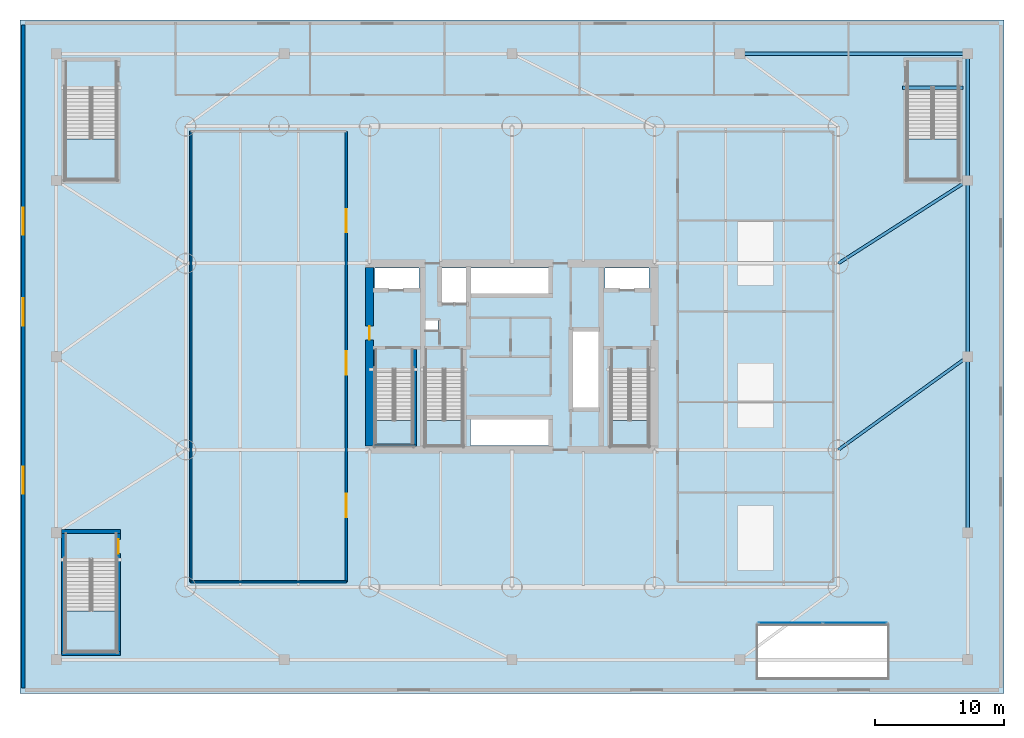
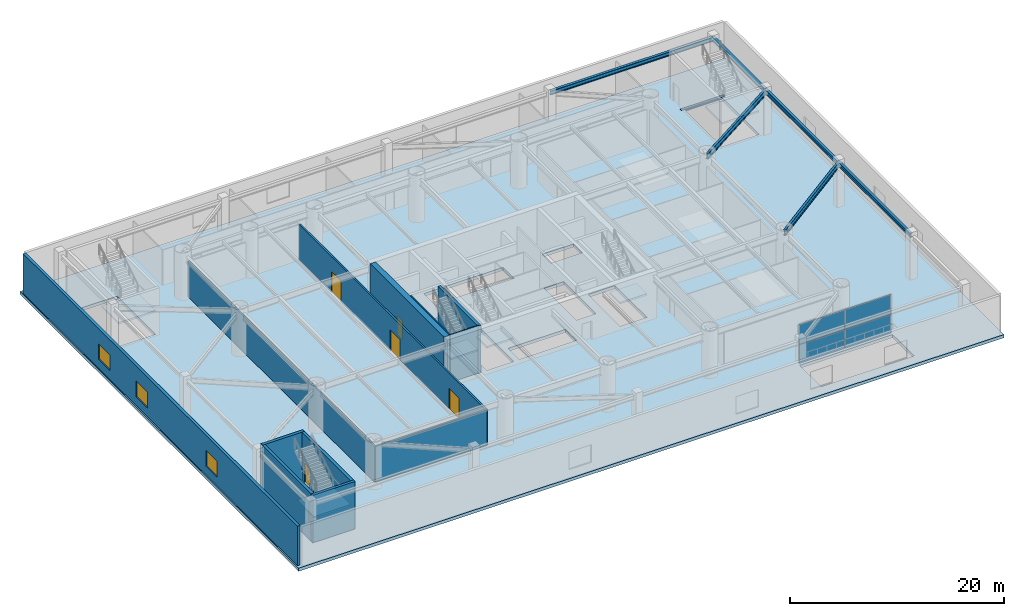
# One storey, part 5 of 16: 12 walls, 7 beams, 7 slabs, 5 doors, 4 plates, 3 windows, 8 openings, 7 elements without a shape of their own.
"""IFC4 building model written with IfcOpenShell, lengths in metres."""

from ifc_helpers import new_model, si_unit, direction, frame, frame_2d, origin, origin_2d, place, context, subcontext, project, spatial, polyline, rectangle, i_section, outline, extrude, material, layer, layer_set, material_profile, profile_set, type_object, element, fill, aggregate, save


model = new_model("IFC4")

# Units and contexts
model_context = context("Model", 3, precision=1e-05, world=origin(), true_north=direction((0.0, 1.0)))
body_context = subcontext(model_context, "Body", "Model", "MODEL_VIEW")
ifc_project = project(units=[si_unit("LENGTHUNIT", "METRE"), si_unit("AREAUNIT", "SQUARE_METRE"), si_unit("VOLUMEUNIT", "CUBIC_METRE"), si_unit("PLANEANGLEUNIT", "RADIAN"), si_unit("MASSUNIT", "GRAM", prefix="KILO")], contexts=[model_context])

# Site, building, storey
site_placement = place(None, origin())
site = spatial("IfcSite", under=ifc_project, at=site_placement, CompositionType="ELEMENT")
building_placement = place(site_placement, origin())
building = spatial("IfcBuilding", under=site, at=building_placement, Name="Bramvorn Convention Spire", CompositionType="ELEMENT")
storey_placement = place(building_placement, frame((0.0, 0.0, 30.0)))
storey = spatial("IfcBuildingStorey", under=building, at=storey_placement, Name="L05", CompositionType="ELEMENT", Elevation=30.0)

# Beams
ifc_material_1 = material(Name="Steel CSA G40.21 Grade 350 (350W)", Category="steel")
ifc_material_profile_1 = material_profile(ifc_material_1, i_section(OverallWidth=0.25390625, OverallDepth=0.2529296875, WebThickness=0.008544921875, FlangeThickness=0.01416015625, FilletRadius=0.011962890625, at=origin_2d()))
ifc_profile_set_1 = profile_set([ifc_material_profile_1], Name="Steel CSA G40.21 Grade 350 (350W) - W250X73")
beam_type_1 = type_object("IfcBeamType", Name="BM-W250X73", PredefinedType="BEAM", material=ifc_profile_set_1)
beam_1_placement = place(storey_placement, frame((68.169921875, 46.760009765625, -0.12646484375), z_axis=(1.0, 0.0, 0.0), x_axis=(0.0, 1.0, 0.0)))
element("IfcBeam", 1, at=beam_1_placement, inside=storey, type_object=beam_type_1, Name="L05 ST5 stair arrival header beam", PredefinedType="BEAM", context=body_context, shape_type="SweptSolid", body=[
    extrude(i_section(OverallWidth=0.25390625, OverallDepth=0.2529296875, WebThickness=0.008544921875, FlangeThickness=0.01416015625, FilletRadius=0.011962890625, at=origin_2d()), origin(), (0.0, 0.0, 1.0), 4.68017578125),
])
ifc_material_profile_2 = material_profile(ifc_material_1, i_section(OverallWidth=0.283935546875, OverallDepth=0.47607421875, WebThickness=0.014892578125, FlangeThickness=0.02392578125, FilletRadius=0.01806640625, at=origin_2d()))
ifc_profile_set_2 = profile_set([ifc_material_profile_2], Name="Steel CSA G40.21 Grade 350 (350W) - W460X158")
beam_type_2 = type_object("IfcBeamType", Name="BM-W460X158", PredefinedType="SPANDREL", material=ifc_profile_set_2)
for number, where, z_axis, x_axis, name in (
    (2, (73.199951171875, 12.39990234375, 4.761962890625), (0.0, 1.0, 0.0), (-1.0, 0.0, 0.0), "L05 podium spandrel beam 06"),
    (3, (73.199951171875, 26.0, 4.761962890625), (0.0, 1.0, 0.0), (-1.0, 0.0, 0.0), "L05 podium spandrel beam 07"),
):
    element("IfcBeam", number, at=place(storey_placement, frame(where, z_axis=z_axis, x_axis=x_axis)), inside=storey, type_object=beam_type_2, Name=name, PredefinedType="SPANDREL", context=body_context, shape_type="SweptSolid", body=[
        extrude(i_section(OverallWidth=0.283935546875, OverallDepth=0.47607421875, WebThickness=0.014892578125, FlangeThickness=0.02392578125, FilletRadius=0.01806640625, at=origin_2d()), origin(), (0.0, 0.0, 1.0), 13.60009765625),
    ])
beam_2_placement = place(storey_placement, frame((73.199951171875, 39.60009765625, 4.761962890625), z_axis=(0.0, 1.0, 0.0), x_axis=(-1.0, 0.0, 0.0)))
element("IfcBeam", 4, at=beam_2_placement, inside=storey, type_object=beam_type_2, Name="L05 podium spandrel beam 08", PredefinedType="SPANDREL", context=body_context, shape_type="SweptSolid", body=[
    extrude(i_section(OverallWidth=0.283935546875, OverallDepth=0.47607421875, WebThickness=0.014892578125, FlangeThickness=0.02392578125, FilletRadius=0.01806640625, at=origin_2d()), origin(), (0.0, 0.0, 1.0), 9.7998046875),
])
beam_3_placement = place(storey_placement, frame((73.199951171875, 49.39990234375, 4.761962890625), z_axis=(-1.0, 0.0, 0.0), x_axis=(0.0, -1.0, 0.0)))
element("IfcBeam", 5, at=beam_3_placement, inside=storey, type_object=beam_type_2, Name="L05 podium spandrel beam 09", PredefinedType="SPANDREL", context=body_context, shape_type="SweptSolid", body=[
    extrude(i_section(OverallWidth=0.283935546875, OverallDepth=0.47607421875, WebThickness=0.014892578125, FlangeThickness=0.02392578125, FilletRadius=0.01806640625, at=origin_2d()), origin(), (0.0, 0.0, 1.0), 17.599853515625),
])
ifc_material_profile_3 = material_profile(ifc_material_1, i_section(OverallWidth=0.22998046875, OverallDepth=0.616943359375, WebThickness=0.01318359375, FlangeThickness=0.022216796875, FilletRadius=0.02001953125, at=origin_2d()))
ifc_profile_set_3 = profile_set([ifc_material_profile_3], Name="Steel CSA G40.21 Grade 350 (350W) - W610X140")
beam_type_3 = type_object("IfcBeamType", Name="BM-W610X140", PredefinedType="BEAM", material=ifc_profile_set_3)
beam_4_placement = place(storey_placement, frame((63.199951171875, 18.800048828125, 4.69140625), z_axis=(0.811536220436, 0.584302116135, 0.0), x_axis=(-0.584302116135, 0.811536220436, 0.0)))
element("IfcBeam", 6, at=beam_4_placement, inside=storey, type_object=beam_type_3, Name="L05 podium east bay girder 1", PredefinedType="BEAM", context=body_context, shape_type="SweptSolid", body=[
    extrude(i_section(OverallWidth=0.22998046875, OverallDepth=0.616943359375, WebThickness=0.01318359375, FlangeThickness=0.022216796875, FilletRadius=0.02001953125, at=origin_2d()), origin(), (0.0, 0.0, 1.0), 12.322265625),
])
beam_5_placement = place(storey_placement, frame((63.199951171875, 33.199951171875, 4.69140625), z_axis=(0.842265798855, 0.539062449145, 0.0), x_axis=(-0.539062449145, 0.842265798855, 0.0)))
element("IfcBeam", 7, at=beam_5_placement, inside=storey, type_object=beam_type_3, Name="L05 podium east bay girder 2", PredefinedType="BEAM", context=body_context, shape_type="SweptSolid", body=[
    extrude(i_section(OverallWidth=0.22998046875, OverallDepth=0.616943359375, WebThickness=0.01318359375, FlangeThickness=0.022216796875, FilletRadius=0.02001953125, at=origin_2d()), origin(), (0.0, 0.0, 1.0), 11.872802734375),
])

# Curtain wall, plates
ifc_material_2 = material(Name="Anodised Bronze Unitised Curtain Wall", Category="aluminium")
ifc_layer_1 = layer(ifc_material_2, 0.219970703125)
ifc_layer_set_1 = layer_set([ifc_layer_1], Name="Anodised Bronze Unitised Curtain Wall - CW-POD-LANCET")
curtain_wall_type = type_object("IfcCurtainWallType", Name="CW-POD-LANCET", PredefinedType="USERDEFINED", material=ifc_layer_set_1)
curtain_wall_placement = place(storey_placement, origin())
curtain_wall = element("IfcCurtainWall", 8, at=curtain_wall_placement, inside=storey, type_object=curtain_wall_type, Name="L05 SE colonnade lancet curtain wall", ObjectType="UNITISED CURTAIN WALL", PredefinedType="USERDEFINED")
ifc_material_3 = material(Name="Laminated Low-E Glass (Acoustic Laminated Podium Triple IGU)", Category="glass")
ifc_layer_2 = layer(ifc_material_3, 0.0458984375)
ifc_layer_set_2 = layer_set([ifc_layer_2], Name="Laminated Low-E Glass (Acoustic Laminated Podium Triple IGU) - PNL-IGU-5")
plate_type = type_object("IfcPlateType", Name="PNL-IGU-5", PredefinedType="CURTAIN_PANEL", material=ifc_layer_set_2)
plate_1_placement = place(storey_placement, frame((59.514892578125, 5.449951171875, 0.06005859375), z_axis=(0.0, 0.0, 1.0), x_axis=(1.0, 0.0, 0.0)))
plate_1 = element("IfcPlate", 9, at=plate_1_placement, type_object=plate_type, Name="CW1 panel 1.1", PredefinedType="CURTAIN_PANEL", context=body_context, shape_type="SweptSolid", body=[
    extrude(rectangle(XDim=4.909912109375, YDim=0.028076171875, at=origin_2d()), origin(), (0.0, 0.0, 1.0), 2.110107421875),
])
plate_2_placement = place(storey_placement, frame((59.514892578125, 5.449951171875, 2.22998046875), z_axis=(0.0, 0.0, 1.0), x_axis=(1.0, 0.0, 0.0)))
plate_2 = element("IfcPlate", 10, at=plate_2_placement, type_object=plate_type, Name="CW1 panel 1.2", PredefinedType="CURTAIN_PANEL", context=body_context, shape_type="SweptSolid", body=[
    extrude(rectangle(XDim=4.909912109375, YDim=0.028076171875, at=origin_2d()), origin(), (0.0, 0.0, 1.0), 2.219970703125),
])
plate_3_placement = place(storey_placement, frame((64.485107421875, 5.449951171875, 0.06005859375), z_axis=(0.0, 0.0, 1.0), x_axis=(1.0, 0.0, 0.0)))
plate_3 = element("IfcPlate", 11, at=plate_3_placement, type_object=plate_type, Name="CW1 panel 2.1", PredefinedType="CURTAIN_PANEL", context=body_context, shape_type="SweptSolid", body=[
    extrude(rectangle(XDim=4.909912109375, YDim=0.028076171875, at=origin_2d()), origin(), (0.0, 0.0, 1.0), 2.110107421875),
])
plate_4_placement = place(storey_placement, frame((64.485107421875, 5.449951171875, 2.22998046875), z_axis=(0.0, 0.0, 1.0), x_axis=(1.0, 0.0, 0.0)))
plate_4 = element("IfcPlate", 12, at=plate_4_placement, type_object=plate_type, Name="CW1 panel 2.2", PredefinedType="CURTAIN_PANEL", context=body_context, shape_type="SweptSolid", body=[
    extrude(rectangle(XDim=4.909912109375, YDim=0.028076171875, at=origin_2d()), origin(), (0.0, 0.0, 1.0), 2.219970703125),
])
aggregate(curtain_wall, [plate_1, plate_2, plate_3, plate_4])

# Slab
ifc_material_4 = material(Name="Concrete C50/60", Category="concrete")
ifc_layer_3 = layer(ifc_material_4, 0.35009765625)
ifc_layer_set_3 = layer_set([ifc_layer_3], Name="Concrete C50/60 - SLB-POD-350")
slab_type_1 = type_object("IfcSlabType", Name="SLB-POD-350", PredefinedType="FLOOR", material=ifc_layer_set_3)
slab_1_placement = place(storey_placement, frame((0.0, 0.0, -0.35009765625)))
element("IfcSlab", 13, at=slab_1_placement, inside=storey, type_object=slab_type_1, Name="L05 podium composite floor slab", PredefinedType="FLOOR", context=body_context, shape_type="SweptSolid", body=[
    extrude(outline(polyline([(0.0, 0.0), (76.0, 0.0), (76.0, 52.0), (0.0, 52.0), (0.0, 0.0)]), holes=[polyline([(27.449951171875, 25.050048828125), (27.449951171875, 19.10009765625), (30.35009765625, 19.10009765625), (30.35009765625, 25.050048828125), (27.449951171875, 25.050048828125)]), polyline([(45.64990234375, 25.050048828125), (45.64990234375, 19.10009765625), (48.550048828125, 19.10009765625), (48.550048828125, 25.050048828125), (45.64990234375, 25.050048828125)]), polyline([(31.300048828125, 25.050048828125), (31.300048828125, 19.10009765625), (34.199951171875, 19.10009765625), (34.199951171875, 25.050048828125), (31.300048828125, 25.050048828125)]), polyline([(3.5, 10.35009765625), (3.5, 3.199951171875), (7.47998046875, 3.199951171875), (7.47998046875, 10.35009765625), (3.5, 10.35009765625)]), polyline([(68.52001953125, 46.800048828125), (68.52001953125, 39.64990234375), (72.5, 39.64990234375), (72.5, 46.800048828125), (68.52001953125, 46.800048828125)]), polyline([(3.5, 46.800048828125), (3.5, 39.64990234375), (7.47998046875, 39.64990234375), (7.47998046875, 46.800048828125), (3.5, 46.800048828125)]), polyline([(27.39990234375, 31.219970703125), (30.800048828125, 31.219970703125), (30.800048828125, 32.85009765625), (27.39990234375, 32.85009765625), (27.39990234375, 31.219970703125)]), polyline([(45.199951171875, 31.219970703125), (48.60009765625, 31.219970703125), (48.60009765625, 32.85009765625), (45.199951171875, 32.85009765625), (45.199951171875, 31.219970703125)]), polyline([(32.449951171875, 30.14990234375), (34.56005859375, 30.14990234375), (34.56005859375, 32.85009765625), (32.449951171875, 32.85009765625), (32.449951171875, 30.14990234375)]), polyline([(34.800048828125, 30.800048828125), (40.97998046875, 30.800048828125), (40.97998046875, 32.85009765625), (34.800048828125, 32.85009765625), (34.800048828125, 30.800048828125)]), polyline([(34.800048828125, 19.14990234375), (40.97998046875, 19.14990234375), (40.97998046875, 21.199951171875), (34.800048828125, 21.199951171875), (34.800048828125, 19.14990234375)]), polyline([(42.6201171875, 22.0), (44.75, 22.0), (44.75, 28.0), (42.6201171875, 28.0), (42.6201171875, 22.0)]), polyline([(31.320068359375, 28.02001953125), (32.280029296875, 28.02001953125), (32.280029296875, 28.820068359375), (31.320068359375, 28.820068359375), (31.320068359375, 28.02001953125)]), polyline([(57.0, 1.199951171875), (67.0, 1.199951171875), (67.0, 5.199951171875), (57.0, 5.199951171875), (57.0, 1.199951171875)])]), origin(), (0.0, 0.0, 1.0), 0.35009765625),
])

# Stair, slab
ifc_material_5 = material(Name="Concrete C40/50 Precast Stair", Category="concrete")
stair_type_1 = type_object("IfcStairType", Name="ST-TOWER-1550", PredefinedType="HALF_TURN_STAIR", material=ifc_material_5)
stair_1_placement = place(storey_placement, origin())
stair_1 = element("IfcStair", 14, at=stair_1_placement, inside=storey, type_object=stair_type_1, Name="L05 Protected Exit Stair ST1", PredefinedType="HALF_TURN_STAIR")
ifc_material_6 = material(Name="Concrete C40/50 Stair Landing", Category="concrete")
ifc_layer_4 = layer(ifc_material_6, 0.219970703125)
ifc_layer_set_4 = layer_set([ifc_layer_4], Name="Concrete C40/50 Stair Landing - SLB-STAIR-LANDING")
slab_type_2 = type_object("IfcSlabType", Name="SLB-STAIR-LANDING", PredefinedType="LANDING", material=ifc_layer_set_4)
slab_2_placement = place(storey_placement, frame((0.0, 0.0, 2.5)))
slab_2 = element("IfcSlab", 15, at=slab_2_placement, type_object=slab_type_2, Name="ST1 landing 1", PredefinedType="LANDING", context=body_context, shape_type="SweptSolid", body=[
    extrude(outline(polyline([(27.449951171875, 21.06005859375), (27.449951171875, 19.10009765625), (30.35009765625, 19.10009765625), (30.35009765625, 21.06005859375), (27.449951171875, 21.06005859375)])), origin(), (0.0, 0.0, 1.0), 0.199951171875),
])
aggregate(stair_1, [slab_2])

stair_2_placement = place(storey_placement, origin())
stair_2 = element("IfcStair", 16, at=stair_2_placement, inside=storey, type_object=stair_type_1, Name="L05 Protected Exit Stair ST2", PredefinedType="HALF_TURN_STAIR")
slab_3_placement = place(storey_placement, frame((0.0, 0.0, 2.5)))
slab_3 = element("IfcSlab", 17, at=slab_3_placement, type_object=slab_type_2, Name="ST2 landing 1", PredefinedType="LANDING", context=body_context, shape_type="SweptSolid", body=[
    extrude(outline(polyline([(45.64990234375, 21.06005859375), (45.64990234375, 19.10009765625), (48.550048828125, 19.10009765625), (48.550048828125, 21.06005859375), (45.64990234375, 21.06005859375)])), origin(), (0.0, 0.0, 1.0), 0.199951171875),
])
aggregate(stair_2, [slab_3])

stair_3_placement = place(storey_placement, origin())
stair_3 = element("IfcStair", 18, at=stair_3_placement, inside=storey, type_object=stair_type_1, Name="L05 Protected Exit Stair ST3", PredefinedType="HALF_TURN_STAIR")
slab_4_placement = place(storey_placement, frame((0.0, 0.0, 2.5)))
slab_4 = element("IfcSlab", 19, at=slab_4_placement, type_object=slab_type_2, Name="ST3 landing 1", PredefinedType="LANDING", context=body_context, shape_type="SweptSolid", body=[
    extrude(outline(polyline([(31.300048828125, 21.06005859375), (31.300048828125, 19.10009765625), (34.199951171875, 19.10009765625), (34.199951171875, 21.06005859375), (31.300048828125, 21.06005859375)])), origin(), (0.0, 0.0, 1.0), 0.199951171875),
])
aggregate(stair_3, [slab_4])

ifc_material_7 = material(Name="Concrete C40/50 Grand Exit Stair", Category="concrete")
stair_type_2 = type_object("IfcStairType", Name="ST-PODIUM-1950", PredefinedType="HALF_TURN_STAIR", material=ifc_material_7)
stair_4_placement = place(storey_placement, origin())
stair_4 = element("IfcStair", 20, at=stair_4_placement, inside=storey, type_object=stair_type_2, Name="L05 Protected Exit Stair ST4", PredefinedType="HALF_TURN_STAIR")
slab_5_placement = place(storey_placement, frame((0.0, 0.0, 2.5)))
slab_5 = element("IfcSlab", 21, at=slab_5_placement, type_object=slab_type_2, Name="ST4 landing 1", PredefinedType="LANDING", context=body_context, shape_type="SweptSolid", body=[
    extrude(outline(polyline([(3.5, 6.360107421875), (3.5, 3.199951171875), (7.47998046875, 3.199951171875), (7.47998046875, 6.360107421875), (3.5, 6.360107421875)])), origin(), (0.0, 0.0, 1.0), 0.199951171875),
])
aggregate(stair_4, [slab_5])

stair_5_placement = place(storey_placement, origin())
stair_5 = element("IfcStair", 22, at=stair_5_placement, inside=storey, type_object=stair_type_2, Name="L05 Protected Exit Stair ST5", PredefinedType="HALF_TURN_STAIR")
slab_6_placement = place(storey_placement, frame((0.0, 0.0, 2.5)))
slab_6 = element("IfcSlab", 23, at=slab_6_placement, type_object=slab_type_2, Name="ST5 landing 1", PredefinedType="LANDING", context=body_context, shape_type="SweptSolid", body=[
    extrude(outline(polyline([(68.52001953125, 42.81005859375), (68.52001953125, 39.64990234375), (72.5, 39.64990234375), (72.5, 42.81005859375), (68.52001953125, 42.81005859375)])), origin(), (0.0, 0.0, 1.0), 0.199951171875),
])
aggregate(stair_5, [slab_6])

stair_6_placement = place(storey_placement, origin())
stair_6 = element("IfcStair", 24, at=stair_6_placement, inside=storey, type_object=stair_type_2, Name="L05 Protected Exit Stair ST6", PredefinedType="HALF_TURN_STAIR")
slab_7_placement = place(storey_placement, frame((0.0, 0.0, 2.5)))
slab_7 = element("IfcSlab", 25, at=slab_7_placement, type_object=slab_type_2, Name="ST6 landing 1", PredefinedType="LANDING", context=body_context, shape_type="SweptSolid", body=[
    extrude(outline(polyline([(3.5, 42.81005859375), (3.5, 39.64990234375), (7.47998046875, 39.64990234375), (7.47998046875, 42.81005859375), (3.5, 42.81005859375)])), origin(), (0.0, 0.0, 1.0), 0.199951171875),
])
aggregate(stair_6, [slab_7])

# Wall, opening, door
ifc_material_8 = material(Name="Concrete C60/70", Category="concrete")
ifc_layer_5 = layer(ifc_material_8, 0.60009765625)
ifc_layer_set_5 = layer_set([ifc_layer_5], Name="Concrete C60/70 - WL-CORE-600")
wall_type_1 = type_object("IfcWallType", Name="WL-CORE-600", PredefinedType="SHEAR", material=ifc_layer_set_5)
wall_1_placement = place(storey_placement, frame((27.0, 19.10009765625, 0.0), z_axis=(0.0, 0.0, 1.0), x_axis=(0.0, 1.0, 0.0)))
wall_1 = element("IfcWall", 26, at=wall_1_placement, inside=storey, type_object=wall_type_1, Name="L05 West RC core shear wall", PredefinedType="SHEAR", context=body_context, shape_type="SweptSolid", body=[
    extrude(rectangle(XDim=13.7998046875, YDim=0.60009765625, at=frame_2d((6.89990234375, 0.0))), origin(), (0.0, 0.0, 1.0), 5.39990234375),
])
opening_1_placement = place(wall_1_placement, frame((8.199951171875, 0.0, 0.0)))
opening_1 = element("IfcOpeningElement", 27, at=opening_1_placement, cuts=wall_1, Name="Opening DL-105", PredefinedType="OPENING", context=body_context, shape_type="SweptSolid", body=[
    extrude(rectangle(XDim=1.050048828125, YDim=2.14990234375, at=frame_2d((0.52490234375, 1.074951171875))), frame((0.0, 0.31005859375, 0.0), z_axis=(0.0, -1.0, 0.0), x_axis=(1.0, 0.0, 0.0)), (0.0, 0.0, 1.0), 0.6201171875),
])
ifc_material_9 = material(Name="Smoke-Sealed Fire Lobby Timber-Core Door", Category="wood")
door_type_1 = type_object("IfcDoorType", Name="DR-LOBBY-1050", OperationType="NOTDEFINED", PredefinedType="DOOR", material=ifc_material_9)
door_1_placement = place(opening_1_placement, origin())
door_1 = element("IfcDoor", 28, at=door_1_placement, inside=storey, type_object=door_type_1, Name="L05 West Firefighting Lobby corridor door", OperationType="SINGLE_SWING_RIGHT", OverallHeight=2.14990234375, OverallWidth=1.050048828125, PredefinedType="DOOR", context=body_context, shape_type="SweptSolid", body=[
    extrude(rectangle(XDim=1.050048828125, YDim=2.14990234375, at=frame_2d((0.52490234375, 1.074951171875))), frame((0.0, 0.02490234375, 0.0), z_axis=(0.0, -1.0, 0.0), x_axis=(1.0, 0.0, 0.0)), (0.0, 0.0, 1.0), 0.050048828125),
])
fill(opening_1, door_1)

# Wall, openings, windows
ifc_material_10 = material(Name="Precast Concrete C40/50 with Bronze Terracotta Rainscreen", Category="masonry")
ifc_layer_6 = layer(ifc_material_10, 0.300048828125)
ifc_layer_set_6 = layer_set([ifc_layer_6], Name="Precast Concrete C40/50 with Bronze Terracotta Rainscreen - WL-EXT-BRONZE-300")
wall_type_2 = type_object("IfcWallType", Name="WL-EXT-BRONZE-300", PredefinedType="SOLIDWALL", material=ifc_layer_set_6)
wall_2_placement = place(storey_placement, frame((0.25, 0.39990234375, 0.0), z_axis=(0.0, 0.0, 1.0), x_axis=(0.0, 1.0, 0.0)))
wall_2 = element("IfcWall", 29, at=wall_2_placement, inside=storey, type_object=wall_type_2, Name="L05 West podium bronze facade wall", PredefinedType="SOLIDWALL", context=body_context, shape_type="SweptSolid", body=[
    extrude(rectangle(XDim=51.2001953125, YDim=0.300048828125, at=frame_2d((25.60009765625, 0.0))), origin(), (0.0, 0.0, 1.0), 4.510009765625),
])
opening_2_placement = place(wall_2_placement, frame((15.0, 0.0, 1.0)))
opening_2 = element("IfcOpeningElement", 30, at=opening_2_placement, cuts=wall_2, Name="Opening WN04", PredefinedType="OPENING", context=body_context, shape_type="SweptSolid", body=[
    extrude(rectangle(XDim=2.10009765625, YDim=1.800048828125, at=frame_2d((1.050048828125, 0.89990234375))), frame((0.0, 0.159912109375, 0.0), z_axis=(0.0, -1.0, 0.0), x_axis=(1.0, 0.0, 0.0)), (0.0, 0.0, 1.0), 0.320068359375),
])
opening_3_placement = place(wall_2_placement, frame((28.0, 0.0, 1.0)))
opening_3 = element("IfcOpeningElement", 31, at=opening_3_placement, cuts=wall_2, Name="Opening WN04", PredefinedType="OPENING", context=body_context, shape_type="SweptSolid", body=[
    extrude(rectangle(XDim=2.10009765625, YDim=1.800048828125, at=frame_2d((1.050048828125, 0.89990234375))), frame((0.0, 0.159912109375, 0.0), z_axis=(0.0, -1.0, 0.0), x_axis=(1.0, 0.0, 0.0)), (0.0, 0.0, 1.0), 0.320068359375),
])
opening_4_placement = place(wall_2_placement, frame((35.0, 0.0, 1.0)))
opening_4 = element("IfcOpeningElement", 32, at=opening_4_placement, cuts=wall_2, Name="Opening WN04", PredefinedType="OPENING", context=body_context, shape_type="SweptSolid", body=[
    extrude(rectangle(XDim=2.10009765625, YDim=1.800048828125, at=frame_2d((1.050048828125, 0.89990234375))), frame((0.0, 0.159912109375, 0.0), z_axis=(0.0, -1.0, 0.0), x_axis=(1.0, 0.0, 0.0)), (0.0, 0.0, 1.0), 0.320068359375),
])
ifc_material_11 = material(Name="Thermally Broken Bronze Aluminium & Triple Low-E Glass", Category="aluminium")
window_type = type_object("IfcWindowType", Name="WN-OP-2100X1800", PartitioningType="SINGLE_PANEL", PredefinedType="WINDOW", material=ifc_material_11)
window_1_placement = place(opening_2_placement, origin())
window_1 = element("IfcWindow", 33, at=window_1_placement, inside=storey, type_object=window_type, Name="L05 West operable window 1", OverallHeight=1.800048828125, OverallWidth=2.10009765625, PartitioningType="SINGLE_PANEL", PredefinedType="WINDOW", context=body_context, shape_type="SweptSolid", body=[
    extrude(rectangle(XDim=2.10009765625, YDim=1.800048828125, at=frame_2d((1.050048828125, 0.89990234375))), frame((0.0, 0.030029296875, 0.0), z_axis=(0.0, -1.0, 0.0), x_axis=(1.0, 0.0, 0.0)), (0.0, 0.0, 1.0), 0.06005859375),
])
fill(opening_2, window_1)
window_2_placement = place(opening_3_placement, origin())
window_2 = element("IfcWindow", 34, at=window_2_placement, inside=storey, type_object=window_type, Name="L05 West operable window 2", OverallHeight=1.800048828125, OverallWidth=2.10009765625, PartitioningType="SINGLE_PANEL", PredefinedType="WINDOW", context=body_context, shape_type="SweptSolid", body=[
    extrude(rectangle(XDim=2.10009765625, YDim=1.800048828125, at=frame_2d((1.050048828125, 0.89990234375))), frame((0.0, 0.030029296875, 0.0), z_axis=(0.0, -1.0, 0.0), x_axis=(1.0, 0.0, 0.0)), (0.0, 0.0, 1.0), 0.06005859375),
])
fill(opening_3, window_2)
window_3_placement = place(opening_4_placement, origin())
window_3 = element("IfcWindow", 35, at=window_3_placement, inside=storey, type_object=window_type, Name="L05 West operable window 3", OverallHeight=1.800048828125, OverallWidth=2.10009765625, PartitioningType="SINGLE_PANEL", PredefinedType="WINDOW", context=body_context, shape_type="SweptSolid", body=[
    extrude(rectangle(XDim=2.10009765625, YDim=1.800048828125, at=frame_2d((1.050048828125, 0.89990234375))), frame((0.0, 0.030029296875, 0.0), z_axis=(0.0, -1.0, 0.0), x_axis=(1.0, 0.0, 0.0)), (0.0, 0.0, 1.0), 0.06005859375),
])
fill(opening_4, window_3)

# Walls
ifc_material_12 = material(Name="Acoustic Metal-Stud Tenant/Corridor Partition", Category="gypsum")
ifc_layer_7 = layer(ifc_material_12, 0.14990234375)
ifc_layer_set_7 = layer_set([ifc_layer_7], Name="Acoustic Metal-Stud Tenant/Corridor Partition - WL-PART-150")
wall_type_3 = type_object("IfcWallType", Name="WL-PART-150", PredefinedType="PARTITIONING", material=ifc_layer_set_7)
wall_3_placement = place(storey_placement, frame((13.199951171875, 8.60009765625, 0.0), z_axis=(0.0, 0.0, 1.0), x_axis=(1.0, 0.0, 0.0)))
element("IfcWall", 36, at=wall_3_placement, inside=storey, type_object=wall_type_3, Name="L05 Ballroom south wall", PredefinedType="PARTITIONING", context=body_context, shape_type="SweptSolid", body=[
    extrude(rectangle(XDim=12.0, YDim=0.14990234375, at=frame_2d((6.0, 0.0))), origin(), (0.0, 0.0, 1.0), 4.06005859375),
])
wall_4_placement = place(storey_placement, frame((13.199951171875, 8.60009765625, 0.0), z_axis=(0.0, 0.0, 1.0), x_axis=(0.0, 1.0, 0.0)))
element("IfcWall", 37, at=wall_4_placement, inside=storey, type_object=wall_type_3, Name="L05 Ballroom west wall", PredefinedType="PARTITIONING", context=body_context, shape_type="SweptSolid", body=[
    extrude(rectangle(XDim=34.7998046875, YDim=0.14990234375, at=frame_2d((17.39990234375, 0.0))), origin(), (0.0, 0.0, 1.0), 4.06005859375),
])

# Wall, openings, doors
ifc_material_13 = material(Name="Double-Stud Acoustic Hotel/Suite Partition", Category="gypsum")
ifc_layer_8 = layer(ifc_material_13, 0.175048828125)
ifc_layer_set_8 = layer_set([ifc_layer_8], Name="Double-Stud Acoustic Hotel/Suite Partition - WL-PART-175")
wall_type_4 = type_object("IfcWallType", Name="WL-PART-175", PredefinedType="PARTITIONING", material=ifc_layer_set_8)
wall_5_placement = place(storey_placement, frame((25.199951171875, 8.60009765625, 0.0), z_axis=(0.0, 0.0, 1.0), x_axis=(0.0, 1.0, 0.0)))
wall_5 = element("IfcWall", 38, at=wall_5_placement, inside=storey, type_object=wall_type_4, Name="L05 Grand Ballroom foyer wall", PredefinedType="PARTITIONING", context=body_context, shape_type="SweptSolid", body=[
    extrude(rectangle(XDim=34.7998046875, YDim=0.175048828125, at=frame_2d((17.39990234375, 0.0))), origin(), (0.0, 0.0, 1.0), 4.06005859375),
])
opening_5_placement = place(wall_5_placement, frame((5.0, 0.0, 0.0)))
opening_5 = element("IfcOpeningElement", 39, at=opening_5_placement, cuts=wall_5, Name="Opening DH-180", PredefinedType="OPENING", context=body_context, shape_type="SweptSolid", body=[
    extrude(rectangle(XDim=1.800048828125, YDim=2.35009765625, at=frame_2d((0.89990234375, 1.175048828125))), frame((0.0, 0.097412109375, 0.0), z_axis=(0.0, -1.0, 0.0), x_axis=(1.0, 0.0, 0.0)), (0.0, 0.0, 1.0), 0.195068359375),
])
opening_6_placement = place(wall_5_placement, frame((16.0, 0.0, 0.0)))
opening_6 = element("IfcOpeningElement", 40, at=opening_6_placement, cuts=wall_5, Name="Opening DH-180", PredefinedType="OPENING", context=body_context, shape_type="SweptSolid", body=[
    extrude(rectangle(XDim=1.800048828125, YDim=2.35009765625, at=frame_2d((0.89990234375, 1.175048828125))), frame((0.0, 0.097412109375, 0.0), z_axis=(0.0, -1.0, 0.0), x_axis=(1.0, 0.0, 0.0)), (0.0, 0.0, 1.0), 0.195068359375),
])
opening_7_placement = place(wall_5_placement, frame((27.0, 0.0, 0.0)))
opening_7 = element("IfcOpeningElement", 41, at=opening_7_placement, cuts=wall_5, Name="Opening DH-180", PredefinedType="OPENING", context=body_context, shape_type="SweptSolid", body=[
    extrude(rectangle(XDim=1.800048828125, YDim=2.35009765625, at=frame_2d((0.89990234375, 1.175048828125))), frame((0.0, 0.097412109375, 0.0), z_axis=(0.0, -1.0, 0.0), x_axis=(1.0, 0.0, 0.0)), (0.0, 0.0, 1.0), 0.195068359375),
])
ifc_material_14 = material(Name="Double-Leaf Acoustic Assembly Hall Door", Category="wood")
door_type_2 = type_object("IfcDoorType", Name="DR-HALL-1800", OperationType="NOTDEFINED", PredefinedType="DOOR", material=ifc_material_14)
door_2_placement = place(opening_5_placement, origin())
door_2 = element("IfcDoor", 42, at=door_2_placement, inside=storey, type_object=door_type_2, Name="L05 Grand Ballroom portal 1", OperationType="DOUBLE_DOOR_SINGLE_SWING", OverallHeight=2.35009765625, OverallWidth=1.800048828125, PredefinedType="DOOR", context=body_context, shape_type="SweptSolid", body=[
    extrude(rectangle(XDim=1.800048828125, YDim=2.35009765625, at=frame_2d((0.89990234375, 1.175048828125))), frame((0.0, 0.02490234375, 0.0), z_axis=(0.0, -1.0, 0.0), x_axis=(1.0, 0.0, 0.0)), (0.0, 0.0, 1.0), 0.050048828125),
])
fill(opening_5, door_2)
door_3_placement = place(opening_6_placement, origin())
door_3 = element("IfcDoor", 43, at=door_3_placement, inside=storey, type_object=door_type_2, Name="L05 Grand Ballroom portal 2", OperationType="DOUBLE_DOOR_SINGLE_SWING", OverallHeight=2.35009765625, OverallWidth=1.800048828125, PredefinedType="DOOR", context=body_context, shape_type="SweptSolid", body=[
    extrude(rectangle(XDim=1.800048828125, YDim=2.35009765625, at=frame_2d((0.89990234375, 1.175048828125))), frame((0.0, 0.02490234375, 0.0), z_axis=(0.0, -1.0, 0.0), x_axis=(1.0, 0.0, 0.0)), (0.0, 0.0, 1.0), 0.050048828125),
])
fill(opening_6, door_3)
door_4_placement = place(opening_7_placement, origin())
door_4 = element("IfcDoor", 44, at=door_4_placement, inside=storey, type_object=door_type_2, Name="L05 Grand Ballroom portal 3", OperationType="DOUBLE_DOOR_SINGLE_SWING", OverallHeight=2.35009765625, OverallWidth=1.800048828125, PredefinedType="DOOR", context=body_context, shape_type="SweptSolid", body=[
    extrude(rectangle(XDim=1.800048828125, YDim=2.35009765625, at=frame_2d((0.89990234375, 1.175048828125))), frame((0.0, 0.02490234375, 0.0), z_axis=(0.0, -1.0, 0.0), x_axis=(1.0, 0.0, 0.0)), (0.0, 0.0, 1.0), 0.050048828125),
])
fill(opening_7, door_4)

# Walls
ifc_layer_9 = layer(ifc_material_4, 0.300048828125)
ifc_layer_set_9 = layer_set([ifc_layer_9], Name="Concrete C50/60 - WL-POD-STAIR-300")
wall_type_5 = type_object("IfcWallType", Name="WL-POD-STAIR-300", PredefinedType="SHEAR", material=ifc_layer_set_9)
wall_6_placement = place(storey_placement, frame((30.489990234375, 19.050048828125, 0.0), z_axis=(0.0, 0.0, 1.0), x_axis=(0.0, 1.0, 0.0)))
element("IfcWall", 45, at=wall_6_placement, inside=storey, type_object=wall_type_5, Name="L05 ST1 east bearing wall", PredefinedType="SHEAR", context=body_context, shape_type="SweptSolid", body=[
    extrude(rectangle(XDim=7.5, YDim=0.300048828125, at=frame_2d((3.75, 0.0))), origin(), (0.0, 0.0, 1.0), 5.39990234375),
])
for number, where, z_axis, x_axis, name in (
    (46, (3.2099609375, 3.06005859375, 0.0), (0.0, 0.0, 1.0), (1.0, 0.0, 0.0), "L05 ST4 south shaft wall"),
    (47, (3.2099609375, 12.489990234375, 0.0), (0.0, 0.0, 1.0), (1.0, 0.0, 0.0), "L05 ST4 north shaft wall"),
):
    element("IfcWall", number, at=place(storey_placement, frame(where, z_axis=z_axis, x_axis=x_axis)), inside=storey, type_object=wall_type_5, Name=name, PredefinedType="SHEAR", context=body_context, shape_type="SweptSolid", body=[
        extrude(rectangle(XDim=4.56005859375, YDim=0.300048828125, at=frame_2d((2.280029296875, 0.0))), origin(), (0.0, 0.0, 1.0), 5.39990234375),
    ])
wall_7_placement = place(storey_placement, frame((3.360107421875, 3.2099609375, 0.0), z_axis=(0.0, 0.0, 1.0), x_axis=(0.0, 1.0, 0.0)))
element("IfcWall", 48, at=wall_7_placement, inside=storey, type_object=wall_type_5, Name="L05 ST4 west shaft wall", PredefinedType="SHEAR", context=body_context, shape_type="SweptSolid", body=[
    extrude(rectangle(XDim=9.130126953125, YDim=0.300048828125, at=frame_2d((4.56494140625, 0.0))), origin(), (0.0, 0.0, 1.0), 5.39990234375),
])

# Wall, opening, door
wall_8_placement = place(storey_placement, frame((7.6201171875, 12.340087890625, 0.0), z_axis=(0.0, 0.0, 1.0), x_axis=(0.0, -1.0, 0.0)))
wall_8 = element("IfcWall", 49, at=wall_8_placement, inside=storey, type_object=wall_type_5, Name="L05 ST4 east shaft wall", PredefinedType="SHEAR", context=body_context, shape_type="SweptSolid", body=[
    extrude(rectangle(XDim=9.130126953125, YDim=0.300048828125, at=frame_2d((4.56494140625, 0.0))), origin(), (0.0, 0.0, 1.0), 5.39990234375),
])
opening_8_placement = place(wall_8_placement, frame((0.449951171875, 0.0, 0.0)))
opening_8 = element("IfcOpeningElement", 50, at=opening_8_placement, cuts=wall_8, Name="Opening DS-110", PredefinedType="OPENING", context=body_context, shape_type="SweptSolid", body=[
    extrude(rectangle(XDim=1.10009765625, YDim=2.14990234375, at=frame_2d((0.550048828125, 1.074951171875))), frame((0.0, 0.159912109375, 0.0), z_axis=(0.0, -1.0, 0.0), x_axis=(1.0, 0.0, 0.0)), (0.0, 0.0, 1.0), 0.320068359375),
])
ifc_material_15 = material(Name="Fire-Rated Hollow Steel Stairwell Door", Category="steel")
door_type_3 = type_object("IfcDoorType", Name="DR-STAIR-1100", OperationType="NOTDEFINED", PredefinedType="DOOR", material=ifc_material_15)
door_5_placement = place(opening_8_placement, origin())
door_5 = element("IfcDoor", 51, at=door_5_placement, inside=storey, type_object=door_type_3, Name="L05 ST4 exit stairwell door", OperationType="SINGLE_SWING_LEFT", OverallHeight=2.14990234375, OverallWidth=1.10009765625, PredefinedType="DOOR", context=body_context, shape_type="SweptSolid", body=[
    extrude(rectangle(XDim=1.10009765625, YDim=2.14990234375, at=frame_2d((0.550048828125, 1.074951171875))), frame((0.0, 0.02490234375, 0.0), z_axis=(0.0, -1.0, 0.0), x_axis=(1.0, 0.0, 0.0)), (0.0, 0.0, 1.0), 0.050048828125),
])
fill(opening_8, door_5)

# Walls
ifc_layer_10 = layer(ifc_material_4, 0.1201171875)
ifc_layer_set_10 = layer_set([ifc_layer_10], Name="Concrete C50/60 - WL-STAIR-RC-120")
wall_type_6 = type_object("IfcWallType", Name="WL-STAIR-RC-120", PredefinedType="SHEAR", material=ifc_layer_set_10)
wall_9_placement = place(storey_placement, frame((27.39501953125, 19.10009765625, 0.0), z_axis=(0.0, 0.0, 1.0), x_axis=(0.0, 1.0, 0.0)))
element("IfcWall", 52, at=wall_9_placement, inside=storey, type_object=wall_type_6, Name="L05 ST1 west bearing shear wall", PredefinedType="SHEAR", context=body_context, shape_type="SweptSolid", body=[
    extrude(rectangle(XDim=7.449951171875, YDim=0.1201171875, at=frame_2d((3.72509765625, 0.0))), origin(), (0.0, 0.0, 1.0), 5.39990234375),
])
wall_10_placement = place(storey_placement, frame((27.39501953125, 19.159912109375, 0.0), z_axis=(0.0, 0.0, 1.0), x_axis=(1.0, 0.0, 0.0)))
element("IfcWall", 53, at=wall_10_placement, inside=storey, type_object=wall_type_6, Name="L05 ST1 south bearing shear wall", PredefinedType="SHEAR", context=body_context, shape_type="SweptSolid", body=[
    extrude(rectangle(XDim=3.094970703125, YDim=0.1201171875, at=frame_2d((1.54736328125, 0.0))), origin(), (0.0, 0.0, 1.0), 5.39990234375),
])

save(model, "model.ifc")
